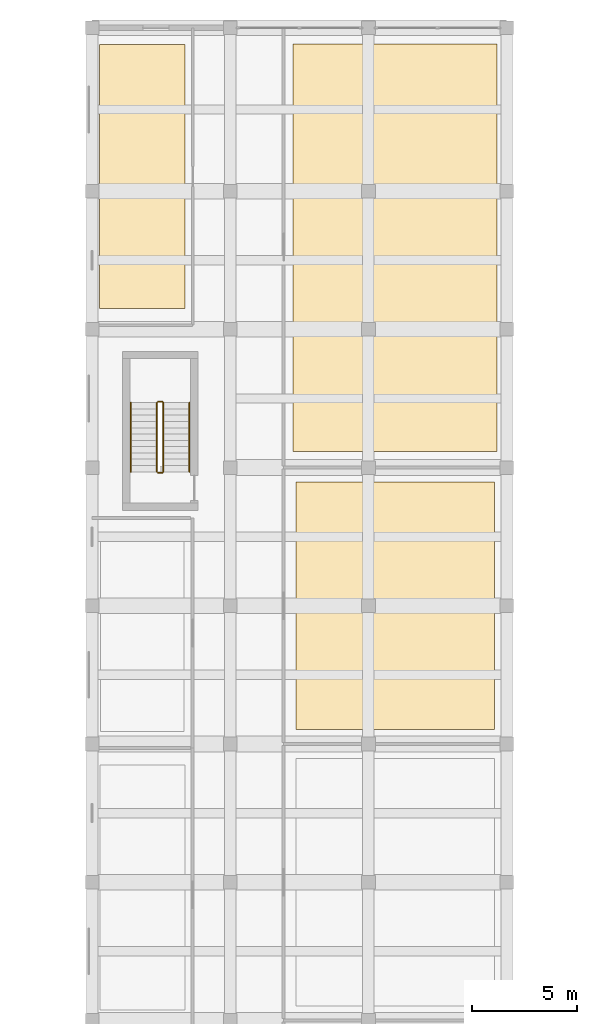
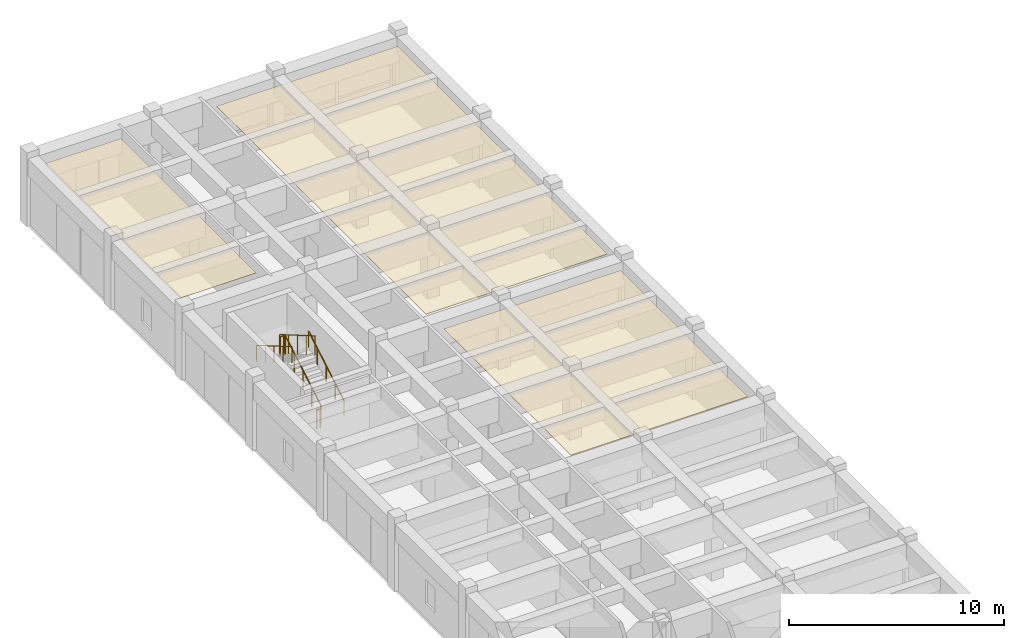
# One storey, part 147 of 147: 6 railings, 3 coverings.
"""IFC4 building model written with IfcOpenShell, lengths in metres."""

from ifc_helpers import new_model, si_unit, direction, frame, origin, origin_2d, place, context, subcontext, project, spatial, polyline, circle, outline, extrude, material, layer, layer_set, type_object, element, save


model = new_model("IFC4")

# Units and contexts
model_context = context("Model", 3, precision=1e-05, world=origin(), true_north=direction((0.0, 1.0)))
body_context = subcontext(model_context, "Body", "Model", "MODEL_VIEW")
ifc_project = project(units=[si_unit("LENGTHUNIT", "METRE"), si_unit("AREAUNIT", "SQUARE_METRE"), si_unit("VOLUMEUNIT", "CUBIC_METRE"), si_unit("PLANEANGLEUNIT", "RADIAN"), si_unit("MASSUNIT", "GRAM", prefix="KILO")], contexts=[model_context])

# Site, building, storey
site_placement = place(None, origin())
site = spatial("IfcSite", under=ifc_project, at=site_placement, CompositionType="ELEMENT")
building_placement = place(site_placement, origin())
building = spatial("IfcBuilding", under=site, at=building_placement, Name="Karori Crest Natural Sciences Institute", CompositionType="ELEMENT")
storey_placement = place(building_placement, frame((0.0, 0.0, 9.10009765625)))
storey = spatial("IfcBuildingStorey", under=building, at=storey_placement, Name="L02", CompositionType="ELEMENT", Elevation=9.10009765625)

# Coverings
ifc_material_1 = material(Name="Acoustic mineral fibre ceiling tile")
ifc_layer = layer(ifc_material_1, 0.02490234375, Name="Acoustic mineral fibre ceiling tile")
ifc_layer_set = layer_set([ifc_layer], Name="Acoustic mineral fibre ceiling tile")
covering_type = type_object("IfcCoveringType", Name="CVT-CEIL", PredefinedType="CEILING", material=ifc_layer_set)
covering_1_placement = place(storey_placement, frame((0.0, 0.0, 3.625)))
element("IfcCovering", 1, at=covering_1_placement, inside=storey, type_object=covering_type, Name="Acoustic ceiling CLG-0032", PredefinedType="CEILING", context=body_context, shape_type="SweptSolid", body=[
    extrude(outline(polyline([(7.756103515625, 161.394287109375), (7.756103515625, 148.805908203125), (11.84375, 148.805908203125), (11.84375, 161.394287109375), (7.756103515625, 161.394287109375)])), origin(), (0.0, 0.0, 1.0), 0.02490234375),
])
covering_2_placement = place(storey_placement, frame((0.0, 0.0, 3.625)))
element("IfcCovering", 2, at=covering_2_placement, inside=storey, type_object=covering_type, Name="Acoustic ceiling CLG-0035", PredefinedType="CEILING", context=body_context, shape_type="SweptSolid", body=[
    extrude(outline(polyline([(17.128173828125, 140.51416015625), (17.128173828125, 128.685791015625), (26.621826171875, 128.685791015625), (26.621826171875, 140.51416015625), (17.128173828125, 140.51416015625)])), origin(), (0.0, 0.0, 1.0), 0.02490234375),
])
covering_3_placement = place(storey_placement, frame((0.0, 0.0, 3.625)))
element("IfcCovering", 3, at=covering_3_placement, inside=storey, type_object=covering_type, Name="Acoustic ceiling CLG-0036", PredefinedType="CEILING", context=body_context, shape_type="SweptSolid", body=[
    extrude(outline(polyline([(17.00341796875, 161.43408203125), (17.00341796875, 141.966064453125), (26.74658203125, 141.966064453125), (26.74658203125, 161.43408203125), (17.00341796875, 161.43408203125)])), origin(), (0.0, 0.0, 1.0), 0.02490234375),
])

# Railings
ifc_material_2 = material(Name="Stainless steel 316 tubular handrail", Category="steel")
railing_type_1 = type_object("IfcRailingType", Name="RLT-HND", PredefinedType="HANDRAIL", material=ifc_material_2)
railing_1_placement = place(storey_placement, frame((12.050048828125, 141.0, 0.1748046875)))
element("IfcRailing", 4, at=railing_1_placement, inside=storey, type_object=railing_type_1, Name="Stair handrail RL-0292", PredefinedType="HANDRAIL", context=body_context, shape_type="SweptSolid", body=[
    extrude(circle(Radius=0.02392578125, at=origin_2d()), frame((0.0, 0.0, 0.90087890625), z_axis=(0.0, 0.863776583165, 0.503874998761), x_axis=(-1.0, 0.0, 0.0)), (0.0, 0.0, 1.0), 3.820556640625),
    extrude(circle(Radius=0.02099609375, at=origin_2d()), origin(), (0.0, 0.0, 1.0), 0.876953125),
    extrude(circle(Radius=0.02099609375, at=origin_2d()), frame((0.0, 0.824951171875, 0.481201171875)), (0.0, 0.0, 1.0), 0.876953125),
    extrude(circle(Radius=0.02099609375, at=origin_2d()), frame((0.0, 1.64990234375, 0.96240234375)), (0.0, 0.0, 1.0), 0.876953125),
    extrude(circle(Radius=0.02099609375, at=origin_2d()), frame((0.0, 2.47509765625, 1.44384765625)), (0.0, 0.0, 1.0), 0.876953125),
    extrude(circle(Radius=0.02099609375, at=origin_2d()), frame((0.0, 3.300048828125, 1.925048828125)), (0.0, 0.0, 1.0), 0.876953125),
])
railing_2_placement = place(storey_placement, frame((9.25, 144.300048828125, 2.27490234375)))
element("IfcRailing", 5, at=railing_2_placement, inside=storey, type_object=railing_type_1, Name="Stair handrail RL-0293", PredefinedType="HANDRAIL", context=body_context, shape_type="SweptSolid", body=[
    extrude(circle(Radius=0.02392578125, at=origin_2d()), frame((0.0, 0.0, 0.90087890625), z_axis=(0.0, -0.863776583165, 0.503874998761), x_axis=(1.0, 0.0, 0.0)), (0.0, 0.0, 1.0), 3.820556640625),
    extrude(circle(Radius=0.02099609375, at=origin_2d()), origin(), (0.0, 0.0, 1.0), 0.876953125),
    extrude(circle(Radius=0.02099609375, at=origin_2d()), frame((0.0, -0.824951171875, 0.481201171875)), (0.0, 0.0, 1.0), 0.876953125),
    extrude(circle(Radius=0.02099609375, at=origin_2d()), frame((0.0, -1.64990234375, 0.96240234375)), (0.0, 0.0, 1.0), 0.876953125),
    extrude(circle(Radius=0.02099609375, at=origin_2d()), frame((0.0, -2.47509765625, 1.44384765625)), (0.0, 0.0, 1.0), 0.876953125),
    extrude(circle(Radius=0.02099609375, at=origin_2d()), frame((0.0, -3.300048828125, 1.925048828125)), (0.0, 0.0, 1.0), 0.876953125),
])
ifc_material_3 = material(Name="Stainless steel 316 stair guard", Category="steel")
railing_type_2 = type_object("IfcRailingType", Name="RLT-STG", PredefinedType="GUARDRAIL", material=ifc_material_3)
railing_3_placement = place(storey_placement, frame((10.800048828125, 141.0, 0.1748046875)))
element("IfcRailing", 6, at=railing_3_placement, inside=storey, type_object=railing_type_2, Name="Stair guard RL-0288", PredefinedType="GUARDRAIL", context=body_context, shape_type="SweptSolid", body=[
    extrude(circle(Radius=0.02392578125, at=origin_2d()), frame((0.0, 0.0, 1.076171875), z_axis=(0.0, 0.863776583165, 0.503874998761), x_axis=(-1.0, 0.0, 0.0)), (0.0, 0.0, 1.0), 3.820556640625),
    extrude(circle(Radius=0.02099609375, at=origin_2d()), origin(), (0.0, 0.0, 1.0), 1.052001953125),
    extrude(circle(Radius=0.02099609375, at=origin_2d()), frame((0.0, 0.824951171875, 0.481201171875)), (0.0, 0.0, 1.0), 1.052001953125),
    extrude(circle(Radius=0.02099609375, at=origin_2d()), frame((0.0, 1.64990234375, 0.96240234375)), (0.0, 0.0, 1.0), 1.052001953125),
    extrude(circle(Radius=0.02099609375, at=origin_2d()), frame((0.0, 2.47509765625, 1.44384765625)), (0.0, 0.0, 1.0), 1.052001953125),
    extrude(circle(Radius=0.02099609375, at=origin_2d()), frame((0.0, 3.300048828125, 1.925048828125)), (0.0, 0.0, 1.0), 1.052001953125),
])
railing_4_placement = place(storey_placement, frame((10.75, 144.35009765625, 2.099853515625)))
element("IfcRailing", 7, at=railing_4_placement, inside=storey, type_object=railing_type_2, Name="Stair guard RL-0289", PredefinedType="GUARDRAIL", context=body_context, shape_type="SweptSolid", body=[
    extrude(circle(Radius=0.02392578125, at=origin_2d()), frame((0.0, 0.0, 1.076171875), z_axis=(-1.0, 0.0, 0.0), x_axis=(0.0, -1.0, 0.0)), (0.0, 0.0, 1.0), 0.199951171875),
    extrude(circle(Radius=0.02099609375, at=origin_2d()), origin(), (0.0, 0.0, 1.0), 1.052001953125),
    extrude(circle(Radius=0.02099609375, at=origin_2d()), frame((-0.199951171875, 0.0, 0.0)), (0.0, 0.0, 1.0), 1.052001953125),
])
railing_5_placement = place(storey_placement, frame((10.5, 144.300048828125, 2.27490234375)))
element("IfcRailing", 8, at=railing_5_placement, inside=storey, type_object=railing_type_2, Name="Stair guard RL-0290", PredefinedType="GUARDRAIL", context=body_context, shape_type="SweptSolid", body=[
    extrude(circle(Radius=0.02392578125, at=origin_2d()), frame((0.0, 0.0, 1.076171875), z_axis=(0.0, -0.863776583165, 0.503874998761), x_axis=(1.0, 0.0, 0.0)), (0.0, 0.0, 1.0), 3.820556640625),
    extrude(circle(Radius=0.02099609375, at=origin_2d()), origin(), (0.0, 0.0, 1.0), 1.052001953125),
    extrude(circle(Radius=0.02099609375, at=origin_2d()), frame((0.0, -0.824951171875, 0.481201171875)), (0.0, 0.0, 1.0), 1.052001953125),
    extrude(circle(Radius=0.02099609375, at=origin_2d()), frame((0.0, -1.64990234375, 0.96240234375)), (0.0, 0.0, 1.0), 1.052001953125),
    extrude(circle(Radius=0.02099609375, at=origin_2d()), frame((0.0, -2.47509765625, 1.44384765625)), (0.0, 0.0, 1.0), 1.052001953125),
    extrude(circle(Radius=0.02099609375, at=origin_2d()), frame((0.0, -3.300048828125, 1.925048828125)), (0.0, 0.0, 1.0), 1.052001953125),
])
railing_6_placement = place(storey_placement, frame((10.75, 140.949951171875, 0.0)))
element("IfcRailing", 9, at=railing_6_placement, inside=storey, type_object=railing_type_2, Name="Stair guard RL-0291", PredefinedType="GUARDRAIL", context=body_context, shape_type="SweptSolid", body=[
    extrude(circle(Radius=0.02392578125, at=origin_2d()), frame((0.0, 0.0, 1.076171875), z_axis=(-1.0, 0.0, 0.0), x_axis=(0.0, -1.0, 0.0)), (0.0, 0.0, 1.0), 0.199951171875),
    extrude(circle(Radius=0.02099609375, at=origin_2d()), origin(), (0.0, 0.0, 1.0), 1.052001953125),
    extrude(circle(Radius=0.02099609375, at=origin_2d()), frame((-0.199951171875, 0.0, 0.0)), (0.0, 0.0, 1.0), 1.052001953125),
])

save(model, "model.ifc")
